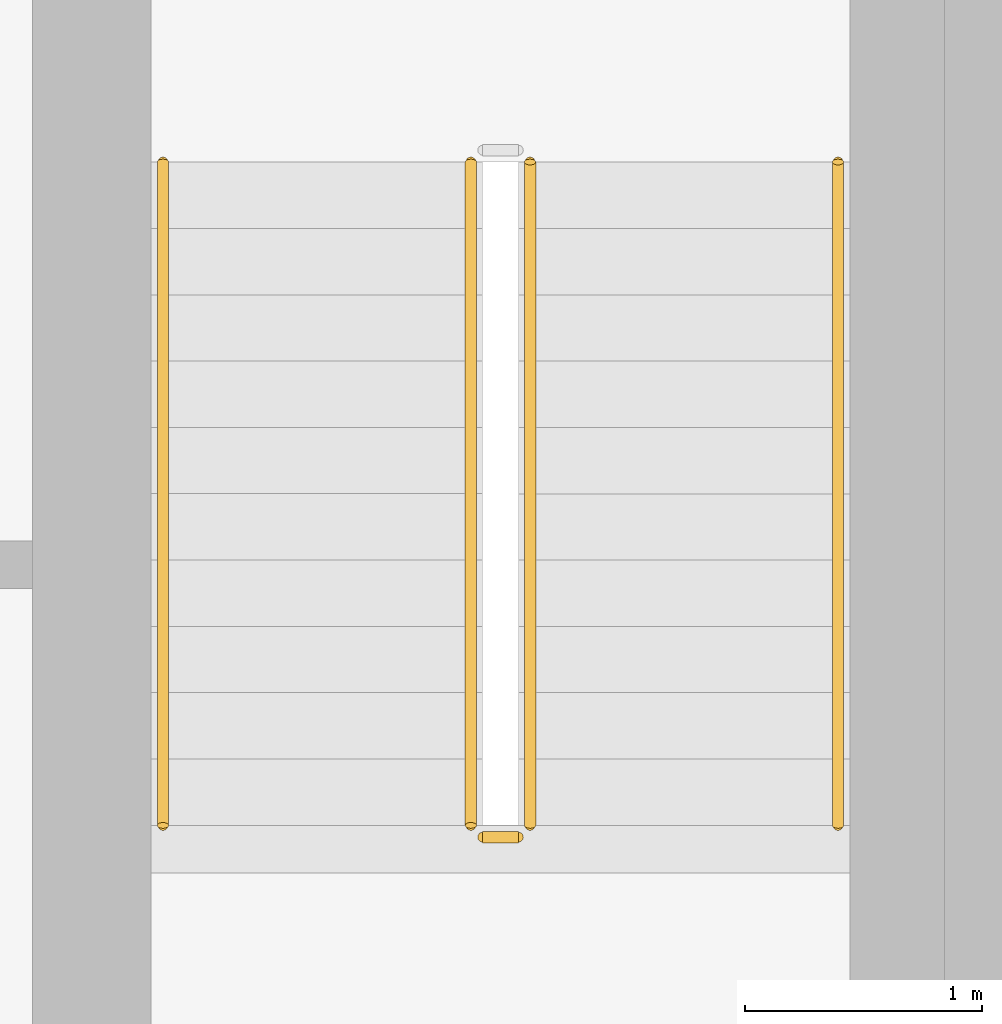
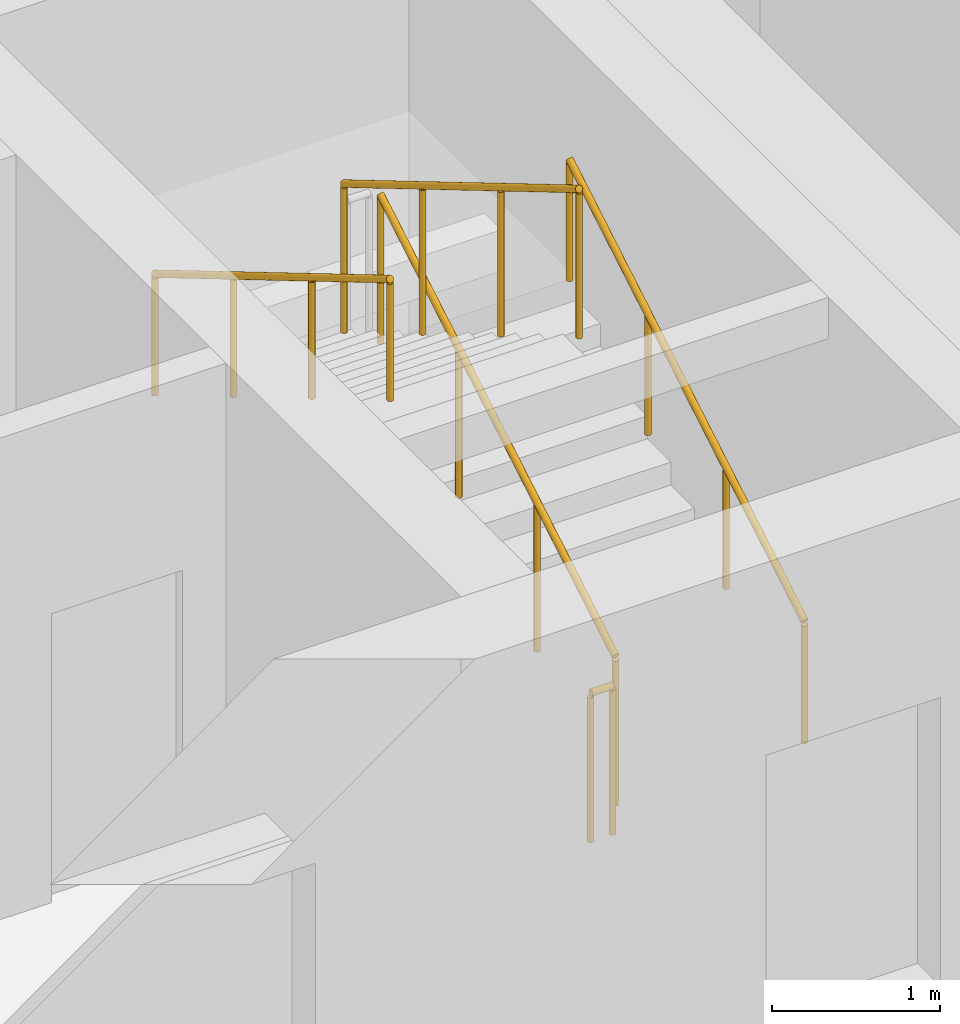
# One storey, part 13 of 15: 5 railings.
"""IFC4 building model written with IfcOpenShell, lengths in metres."""

from ifc_helpers import new_model, si_unit, direction, frame, origin, origin_2d, place, context, subcontext, project, spatial, circle, extrude, material, type_object, element, save


model = new_model("IFC4")

# Units and contexts
model_context = context("Model", 3, precision=1e-05, world=origin(), true_north=direction((0.0, 1.0)))
body_context = subcontext(model_context, "Body", "Model", "MODEL_VIEW")
ifc_project = project(units=[si_unit("LENGTHUNIT", "METRE"), si_unit("AREAUNIT", "SQUARE_METRE"), si_unit("VOLUMEUNIT", "CUBIC_METRE"), si_unit("PLANEANGLEUNIT", "RADIAN"), si_unit("MASSUNIT", "GRAM", prefix="KILO")], contexts=[model_context])

# Site, building, storey
site_placement = place(None, origin())
site = spatial("IfcSite", under=ifc_project, at=site_placement, CompositionType="ELEMENT")
building_placement = place(site_placement, origin())
building = spatial("IfcBuilding", under=site, at=building_placement, Name="Isthmus Gate Tower", CompositionType="ELEMENT")
storey_placement = place(building_placement, frame((0.0, 0.0, 227.25)))
storey = spatial("IfcBuildingStorey", under=building, at=storey_placement, Name="L57", CompositionType="ELEMENT", Elevation=227.25)

# Railings
ifc_material_1 = material(Name="Stainless steel balustrade", Category="steel")
railing_type_1 = type_object("IfcRailingType", Name="STAIR GUARD 1100", PredefinedType="GUARDRAIL", material=ifc_material_1)
railing_1_placement = place(storey_placement, frame((12.64990234375, 2.39990234375, 0.166015625)))
element("IfcRailing", 1, at=railing_1_placement, inside=storey, type_object=railing_type_1, Name="L57 ST8 stair guard 1", PredefinedType="GUARDRAIL", context=body_context, shape_type="SweptSolid", body=[
    extrude(circle(Radius=0.02392578125, at=origin_2d()), frame((0.0, 0.0, 1.076171875), z_axis=(0.0, 0.860339051648, 0.50972219513), x_axis=(-1.0, 0.0, 0.0)), (0.0, 0.0, 1.0), 3.254638671875),
    extrude(circle(Radius=0.02099609375, at=origin_2d()), origin(), (0.0, 0.0, 1.0), 1.052001953125),
    extrude(circle(Radius=0.02099609375, at=origin_2d()), frame((0.0, 0.933349609375, 0.552978515625)), (0.0, 0.0, 1.0), 1.052001953125),
    extrude(circle(Radius=0.02099609375, at=origin_2d()), frame((0.0, 1.86669921875, 1.10595703125)), (0.0, 0.0, 1.0), 1.052001953125),
    extrude(circle(Radius=0.02099609375, at=origin_2d()), frame((0.0, 2.800048828125, 1.658935546875)), (0.0, 0.0, 1.0), 1.052001953125),
])
railing_2_placement = place(storey_placement, frame((12.39990234375, 5.199951171875, 1.990966796875)))
element("IfcRailing", 2, at=railing_2_placement, inside=storey, type_object=railing_type_1, Name="L57 ST8 stair guard 3", PredefinedType="GUARDRAIL", context=body_context, shape_type="SweptSolid", body=[
    extrude(circle(Radius=0.02392578125, at=origin_2d()), frame((0.0, 0.0, 1.076171875), z_axis=(0.0, -0.860339051648, 0.50972219513), x_axis=(1.0, 0.0, 0.0)), (0.0, 0.0, 1.0), 3.254638671875),
    extrude(circle(Radius=0.02099609375, at=origin_2d()), origin(), (0.0, 0.0, 1.0), 1.052001953125),
    extrude(circle(Radius=0.02099609375, at=origin_2d()), frame((0.0, -0.933349609375, 0.552978515625)), (0.0, 0.0, 1.0), 1.052001953125),
    extrude(circle(Radius=0.02099609375, at=origin_2d()), frame((0.0, -1.86669921875, 1.10595703125)), (0.0, 0.0, 1.0), 1.052001953125),
    extrude(circle(Radius=0.02099609375, at=origin_2d()), frame((0.0, -2.800048828125, 1.658935546875)), (0.0, 0.0, 1.0), 1.052001953125),
])
railing_3_placement = place(storey_placement, frame((12.60009765625, 2.35009765625, 0.0)))
element("IfcRailing", 3, at=railing_3_placement, inside=storey, type_object=railing_type_1, Name="L57 ST8 stair guard 4", PredefinedType="GUARDRAIL", context=body_context, shape_type="SweptSolid", body=[
    extrude(circle(Radius=0.02392578125, at=origin_2d()), frame((0.0, 0.0, 1.076171875), z_axis=(-1.0, 0.0, 0.0), x_axis=(0.0, -1.0, 0.0)), (0.0, 0.0, 1.0), 0.150146484375),
    extrude(circle(Radius=0.02099609375, at=origin_2d()), origin(), (0.0, 0.0, 1.0), 1.052001953125),
    extrude(circle(Radius=0.02099609375, at=origin_2d()), frame((-0.150146484375, 0.0, 0.0)), (0.0, 0.0, 1.0), 1.052001953125),
])
ifc_material_2 = material(Name="Stainless steel handrail", Category="steel")
railing_type_2 = type_object("IfcRailingType", Name="STAIR HANDRAIL 900", PredefinedType="HANDRAIL", material=ifc_material_2)
railing_4_placement = place(storey_placement, frame((13.949951171875, 2.39990234375, 0.166015625)))
element("IfcRailing", 4, at=railing_4_placement, inside=storey, type_object=railing_type_2, Name="L57 ST8 stair handrail 1", PredefinedType="HANDRAIL", context=body_context, shape_type="SweptSolid", body=[
    extrude(circle(Radius=0.02392578125, at=origin_2d()), frame((0.0, 0.0, 0.8759765625), z_axis=(0.0, 0.860339051648, 0.50972219513), x_axis=(-1.0, 0.0, 0.0)), (0.0, 0.0, 1.0), 3.254638671875),
    extrude(circle(Radius=0.02099609375, at=origin_2d()), origin(), (0.0, 0.0, 1.0), 0.851806640625),
    extrude(circle(Radius=0.02099609375, at=origin_2d()), frame((0.0, 0.933349609375, 0.552978515625)), (0.0, 0.0, 1.0), 0.851806640625),
    extrude(circle(Radius=0.02099609375, at=origin_2d()), frame((0.0, 1.86669921875, 1.10595703125)), (0.0, 0.0, 1.0), 0.851806640625),
    extrude(circle(Radius=0.02099609375, at=origin_2d()), frame((0.0, 2.800048828125, 1.658935546875)), (0.0, 0.0, 1.0), 0.851806640625),
])
railing_5_placement = place(storey_placement, frame((11.10009765625, 5.199951171875, 1.990966796875)))
element("IfcRailing", 5, at=railing_5_placement, inside=storey, type_object=railing_type_2, Name="L57 ST8 stair handrail 2", PredefinedType="HANDRAIL", context=body_context, shape_type="SweptSolid", body=[
    extrude(circle(Radius=0.02392578125, at=origin_2d()), frame((0.0, 0.0, 0.8759765625), z_axis=(0.0, -0.860339051648, 0.50972219513), x_axis=(1.0, 0.0, 0.0)), (0.0, 0.0, 1.0), 3.254638671875),
    extrude(circle(Radius=0.02099609375, at=origin_2d()), origin(), (0.0, 0.0, 1.0), 0.851806640625),
    extrude(circle(Radius=0.02099609375, at=origin_2d()), frame((0.0, -0.933349609375, 0.552978515625)), (0.0, 0.0, 1.0), 0.851806640625),
    extrude(circle(Radius=0.02099609375, at=origin_2d()), frame((0.0, -1.86669921875, 1.10595703125)), (0.0, 0.0, 1.0), 0.851806640625),
    extrude(circle(Radius=0.02099609375, at=origin_2d()), frame((0.0, -2.800048828125, 1.658935546875)), (0.0, 0.0, 1.0), 0.851806640625),
])

save(model, "model.ifc")
